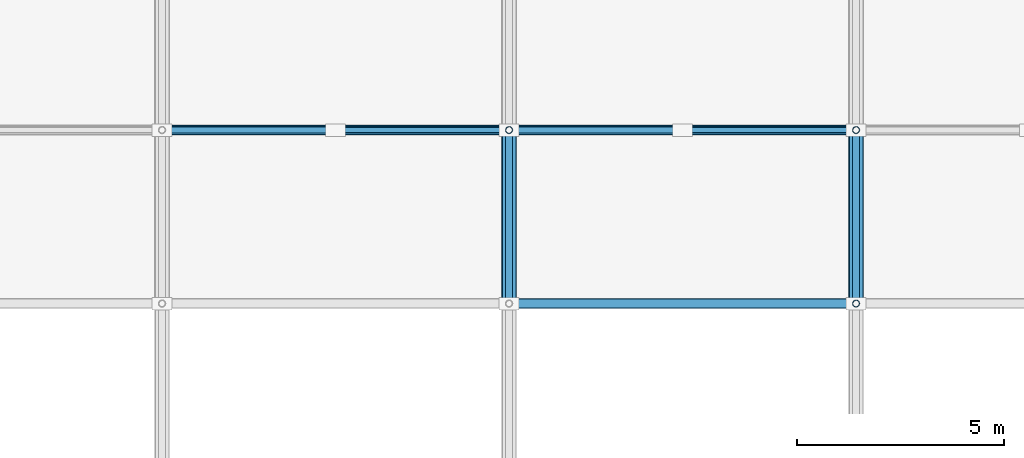
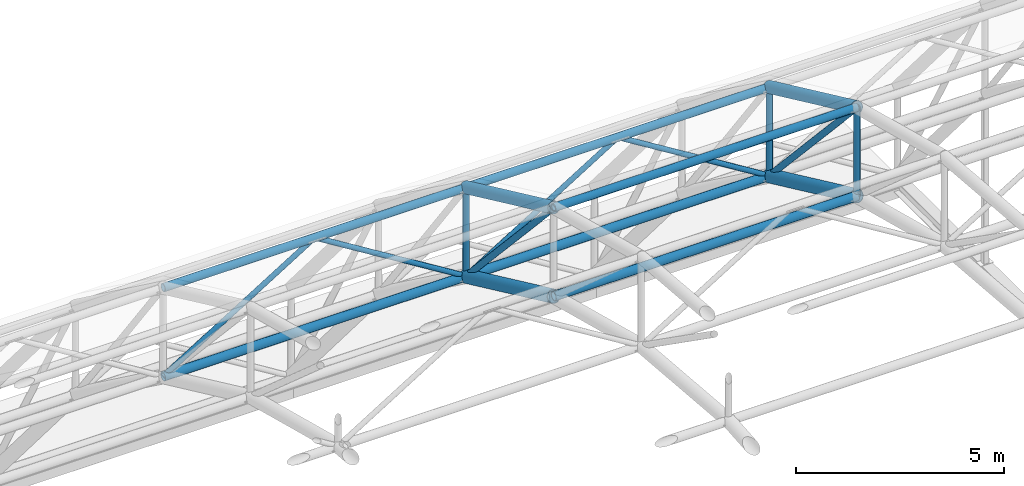
# One storey, part 47 of 103: 15 members, 4 beams.
"""IFC4 building model written with IfcOpenShell, lengths in metres."""

from ifc_helpers import new_model, si_unit, direction, frame, origin, origin_2d, place, context, subcontext, project, spatial, hollow_circle, extrude, material, material_profile, profile_set, type_object, element, save


model = new_model("IFC4")

# Units and contexts
model_context = context("Model", 3, precision=1e-05, world=origin(), true_north=direction((0.0, 1.0)))
body_context = subcontext(model_context, "Body", "Model", "MODEL_VIEW")
ifc_project = project(units=[si_unit("LENGTHUNIT", "METRE"), si_unit("AREAUNIT", "SQUARE_METRE"), si_unit("VOLUMEUNIT", "CUBIC_METRE"), si_unit("PLANEANGLEUNIT", "RADIAN"), si_unit("MASSUNIT", "GRAM", prefix="KILO")], contexts=[model_context])

# Site, building, storey
site_placement = place(None, origin())
site = spatial("IfcSite", under=ifc_project, at=site_placement, CompositionType="ELEMENT")
building_placement = place(site_placement, origin())
building = spatial("IfcBuilding", under=site, at=building_placement, Name="Varnapada Polytechnic", CompositionType="ELEMENT")
storey_placement = place(building_placement, frame((0.0, 0.0, 18.0)))
storey = spatial("IfcBuildingStorey", under=building, at=storey_placement, Name="L04", CompositionType="ELEMENT", Elevation=18.0)

# Members
ifc_material = material(Name="Steel S355", Category="steel")
ifc_material_profile_1 = material_profile(ifc_material, hollow_circle(Radius=0.122314453125, WallThickness=0.008056640625, at=origin_2d()), Name="CHS 244.5x8.0")
ifc_profile_set_1 = profile_set([ifc_material_profile_1], Name="Steel S355")
member_type_1 = type_object("IfcMemberType", Name="Vaulted space frame longitudinal bottom chord SFC-01 (CHS 244.5x8.0)", PredefinedType="CHORD", material=ifc_profile_set_1)
member_1_placement = place(storey_placement, frame((109.199951171875, 117.60009765625, 8.02783203125), z_axis=(1.0, 0.0, 0.0), x_axis=(0.0, 1.0, 0.0)))
element("IfcMember", 1, at=member_1_placement, inside=storey, type_object=member_type_1, Name="Vaulted space frame longitudinal bottom chord 8.9", PredefinedType="CHORD", context=body_context, shape_type="SweptSolid", body=[
    extrude(hollow_circle(Radius=0.122314453125, WallThickness=0.008056640625, at=origin_2d()), origin(), (0.0, 0.0, 1.0), 8.400146484375),
])
for number, where, z_axis, x_axis, name in (
    (2, (117.60009765625, 113.39990234375, 9.98193359375), (1.0, 0.0, 0.0), (0.0, 1.0, 0.0), "Vaulted space frame longitudinal bottom chord 9.8"),
    (3, (117.60009765625, 117.60009765625, 8.02783203125), (1.0, 0.0, 0.0), (0.0, 1.0, 0.0), "Vaulted space frame longitudinal bottom chord 9.9"),
):
    element("IfcMember", number, at=place(storey_placement, frame(where, z_axis=z_axis, x_axis=x_axis)), inside=storey, type_object=member_type_1, Name=name, PredefinedType="CHORD", context=body_context, shape_type="SweptSolid", body=[
        extrude(hollow_circle(Radius=0.122314453125, WallThickness=0.008056640625, at=origin_2d()), origin(), (0.0, 0.0, 1.0), 8.39990234375),
    ])
ifc_material_profile_2 = material_profile(ifc_material, hollow_circle(Radius=0.109619140625, WallThickness=0.008056640625, at=origin_2d()), Name="CHS 219.1x8.0")
ifc_profile_set_2 = profile_set([ifc_material_profile_2], Name="Steel S355")
member_type_2 = type_object("IfcMemberType", Name="Vaulted space frame longitudinal top chord SFC-02 (CHS 219.1x8.0)", PredefinedType="CHORD", material=ifc_profile_set_2)
member_2_placement = place(storey_placement, frame((109.199951171875, 117.60009765625, 10.6279296875), z_axis=(1.0, 0.0, 0.0), x_axis=(0.0, 1.0, 0.0)))
element("IfcMember", 4, at=member_2_placement, inside=storey, type_object=member_type_2, Name="Vaulted space frame longitudinal top chord 8.9", PredefinedType="CHORD", context=body_context, shape_type="SweptSolid", body=[
    extrude(hollow_circle(Radius=0.109619140625, WallThickness=0.008056640625, at=origin_2d()), origin(), (0.0, 0.0, 1.0), 8.400146484375),
])
for number, where, z_axis, x_axis, name in (
    (5, (117.60009765625, 113.39990234375, 12.581787109375), (1.0, 0.0, 0.0), (0.0, 1.0, 0.0), "Vaulted space frame longitudinal top chord 9.8"),
    (6, (117.60009765625, 117.60009765625, 10.6279296875), (1.0, 0.0, 0.0), (0.0, 1.0, 0.0), "Vaulted space frame longitudinal top chord 9.9"),
):
    element("IfcMember", number, at=place(storey_placement, frame(where, z_axis=z_axis, x_axis=x_axis)), inside=storey, type_object=member_type_2, Name=name, PredefinedType="CHORD", context=body_context, shape_type="SweptSolid", body=[
        extrude(hollow_circle(Radius=0.109619140625, WallThickness=0.008056640625, at=origin_2d()), origin(), (0.0, 0.0, 1.0), 8.39990234375),
    ])

# Beams
ifc_material_profile_3 = material_profile(ifc_material, hollow_circle(Radius=0.177734375, WallThickness=0.012451171875, at=origin_2d()), Name="CHS 355.6x12.5")
ifc_profile_set_3 = profile_set([ifc_material_profile_3], Name="Steel S355")
beam_type_1 = type_object("IfcBeamType", Name="Vaulted space frame primary arch rib VA-01 (CHS 355.6x12.5)", PredefinedType="BEAM", material=ifc_profile_set_3)
for number, where, z_axis, x_axis, name in (
    (7, (117.60009765625, 113.39990234375, 9.98193359375), (0.0, 0.906677989805, -0.421823449802), (-1.0, 0.0, 0.0), "Vaulted space frame bottom arch chord 9.8"),
    (8, (126.0, 113.39990234375, 9.98193359375), (0.0, 0.906677989805, -0.421823449802), (-1.0, 0.0, 0.0), "Vaulted space frame bottom arch chord 10.8"),
):
    element("IfcBeam", number, at=place(storey_placement, frame(where, z_axis=z_axis, x_axis=x_axis)), inside=storey, type_object=beam_type_1, Name=name, PredefinedType="BEAM", context=body_context, shape_type="SweptSolid", body=[
        extrude(hollow_circle(Radius=0.177734375, WallThickness=0.012451171875, at=origin_2d()), origin(), (0.0, 0.0, 1.0), 4.632568359375),
    ])

# Members
ifc_material_profile_4 = material_profile(ifc_material, hollow_circle(Radius=0.084228515625, WallThickness=0.00634765625, at=origin_2d()), Name="CHS 168.3x6.3")
ifc_profile_set_4 = profile_set([ifc_material_profile_4], Name="Steel S355")
member_type_3 = type_object("IfcMemberType", Name="Vaulted space frame primary web diagonal SFB-01 (CHS 168.3x6.3)", PredefinedType="BRACE", material=ifc_profile_set_4)
for number, where, z_axis, x_axis, name in (
    (9, (117.60009765625, 113.39990234375, 12.581787109375), (0.0, 0.677978881407, -0.735081380777), (-1.0, 0.0, 0.0), "Vaulted space frame web diagonal 9.8"),
    (10, (126.0, 113.39990234375, 12.581787109375), (0.0, 0.677978881407, -0.735081380777), (-1.0, 0.0, 0.0), "Vaulted space frame web diagonal 10.8"),
):
    element("IfcMember", number, at=place(storey_placement, frame(where, z_axis=z_axis, x_axis=x_axis)), inside=storey, type_object=member_type_3, Name=name, PredefinedType="BRACE", context=body_context, shape_type="SweptSolid", body=[
        extrude(hollow_circle(Radius=0.084228515625, WallThickness=0.00634765625, at=origin_2d()), origin(), (0.0, 0.0, 1.0), 6.195068359375),
    ])
ifc_material_profile_5 = material_profile(ifc_material, hollow_circle(Radius=0.084228515625, WallThickness=0.00634765625, at=origin_2d()), Name="CHS 168.3x6.3")
ifc_profile_set_5 = profile_set([ifc_material_profile_5], Name="Steel S355")
member_type_4 = type_object("IfcMemberType", Name="Vaulted space frame radial web strut SFS-01 (CHS 168.3x6.3)", PredefinedType="STRUT", material=ifc_profile_set_5)
member_3_placement = place(storey_placement, frame((117.60009765625, 117.60009765625, 8.02783203125), z_axis=(0.0, 0.0, 1.0), x_axis=(1.0, 0.0, 0.0)))
element("IfcMember", 11, at=member_3_placement, inside=storey, type_object=member_type_4, Name="Vaulted space frame strut 9.9", PredefinedType="STRUT", context=body_context, shape_type="SweptSolid", body=[
    extrude(hollow_circle(Radius=0.084228515625, WallThickness=0.00634765625, at=origin_2d()), origin(), (0.0, 0.0, 1.0), 2.60009765625),
])
member_4_placement = place(storey_placement, frame((126.0, 113.39990234375, 9.98193359375), z_axis=(0.0, 0.0, 1.0), x_axis=(1.0, 0.0, 0.0)))
element("IfcMember", 12, at=member_4_placement, inside=storey, type_object=member_type_4, Name="Vaulted space frame strut 10.8", PredefinedType="STRUT", context=body_context, shape_type="SweptSolid", body=[
    extrude(hollow_circle(Radius=0.084228515625, WallThickness=0.00634765625, at=origin_2d()), origin(), (0.0, 0.0, 1.0), 2.599853515625),
])
member_5_placement = place(storey_placement, frame((126.0, 117.60009765625, 8.02783203125), z_axis=(0.0, 0.0, 1.0), x_axis=(1.0, 0.0, 0.0)))
element("IfcMember", 13, at=member_5_placement, inside=storey, type_object=member_type_4, Name="Vaulted space frame strut 10.9", PredefinedType="STRUT", context=body_context, shape_type="SweptSolid", body=[
    extrude(hollow_circle(Radius=0.084228515625, WallThickness=0.00634765625, at=origin_2d()), origin(), (0.0, 0.0, 1.0), 2.60009765625),
])
ifc_material_profile_6 = material_profile(ifc_material, hollow_circle(Radius=0.06982421875, WallThickness=0.0048828125, at=origin_2d()), Name="CHS 139.7x5.0")
ifc_profile_set_6 = profile_set([ifc_material_profile_6], Name="Steel S355")
member_type_5 = type_object("IfcMemberType", Name="Vaulted space frame secondary web diagonal SFB-02 (CHS 139.7x5.0)", PredefinedType="BRACE", material=ifc_profile_set_6)
member_6_placement = place(storey_placement, frame((109.199951171875, 117.60009765625, 8.02783203125), z_axis=(0.85025356003, 0.0, 0.526373331065), x_axis=(0.0, 1.0, 0.0)))
element("IfcMember", 14, at=member_6_placement, inside=storey, type_object=member_type_5, Name="Vaulted space frame longitudinal brace 8.9A", PredefinedType="BRACE", context=body_context, shape_type="SweptSolid", body=[
    extrude(hollow_circle(Radius=0.06982421875, WallThickness=0.0048828125, at=origin_2d()), origin(), (0.0, 0.0, 1.0), 4.939697265625),
])
member_7_placement = place(storey_placement, frame((117.60009765625, 117.60009765625, 8.02783203125), z_axis=(-0.85026725322, 0.0, 0.526351211741), x_axis=(0.0, -1.0, 0.0)))
element("IfcMember", 15, at=member_7_placement, inside=storey, type_object=member_type_5, Name="Vaulted space frame longitudinal brace 8.9B", PredefinedType="BRACE", context=body_context, shape_type="SweptSolid", body=[
    extrude(hollow_circle(Radius=0.06982421875, WallThickness=0.0048828125, at=origin_2d()), origin(), (0.0, 0.0, 1.0), 4.93994140625),
])
for number, where, z_axis, x_axis, name in (
    (16, (117.60009765625, 117.60009765625, 8.02783203125), (0.85025356003, 0.0, 0.526373331065), (0.0, 1.0, 0.0), "Vaulted space frame longitudinal brace 9.9A"),
    (17, (126.0, 117.60009765625, 8.02783203125), (-0.85025356003, 0.0, 0.526373331065), (0.0, -1.0, 0.0), "Vaulted space frame longitudinal brace 9.9B"),
):
    element("IfcMember", number, at=place(storey_placement, frame(where, z_axis=z_axis, x_axis=x_axis)), inside=storey, type_object=member_type_5, Name=name, PredefinedType="BRACE", context=body_context, shape_type="SweptSolid", body=[
        extrude(hollow_circle(Radius=0.06982421875, WallThickness=0.0048828125, at=origin_2d()), origin(), (0.0, 0.0, 1.0), 4.939697265625),
    ])

# Beams
ifc_material_profile_7 = material_profile(ifc_material, hollow_circle(Radius=0.161865234375, WallThickness=0.010009765625, at=origin_2d()), Name="CHS 323.9x10.0")
ifc_profile_set_7 = profile_set([ifc_material_profile_7], Name="Steel S355")
beam_type_2 = type_object("IfcBeamType", Name="Vaulted space frame upper arch rib VA-02 (CHS 323.9x10.0)", PredefinedType="BEAM", material=ifc_profile_set_7)
for number, where, z_axis, x_axis, name in (
    (18, (117.60009765625, 113.39990234375, 12.581787109375), (0.0, 0.906698145361, -0.421780124234), (-1.0, 0.0, 0.0), "Vaulted space frame top arch chord 9.8"),
    (19, (126.0, 113.39990234375, 12.581787109375), (0.0, 0.906698145361, -0.421780124234), (-1.0, 0.0, 0.0), "Vaulted space frame top arch chord 10.8"),
):
    element("IfcBeam", number, at=place(storey_placement, frame(where, z_axis=z_axis, x_axis=x_axis)), inside=storey, type_object=beam_type_2, Name=name, PredefinedType="BEAM", context=body_context, shape_type="SweptSolid", body=[
        extrude(hollow_circle(Radius=0.161865234375, WallThickness=0.010009765625, at=origin_2d()), origin(), (0.0, 0.0, 1.0), 4.63232421875),
    ])

save(model, "model.ifc")
